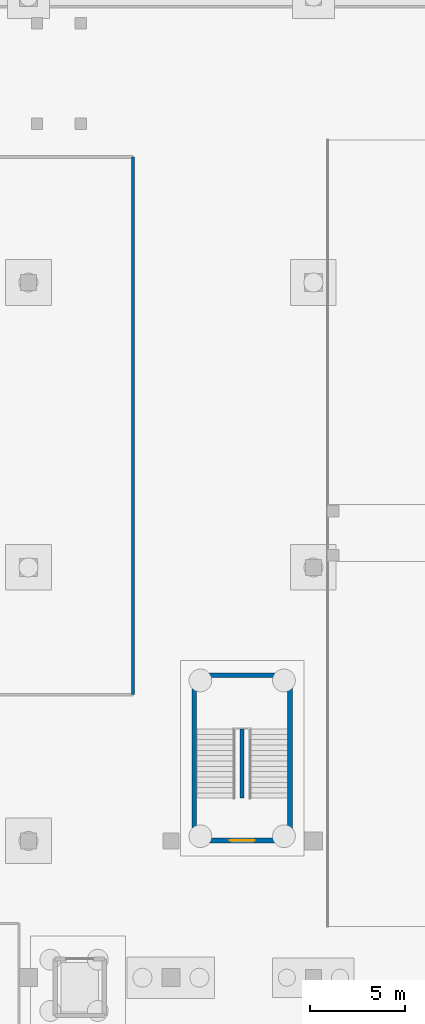
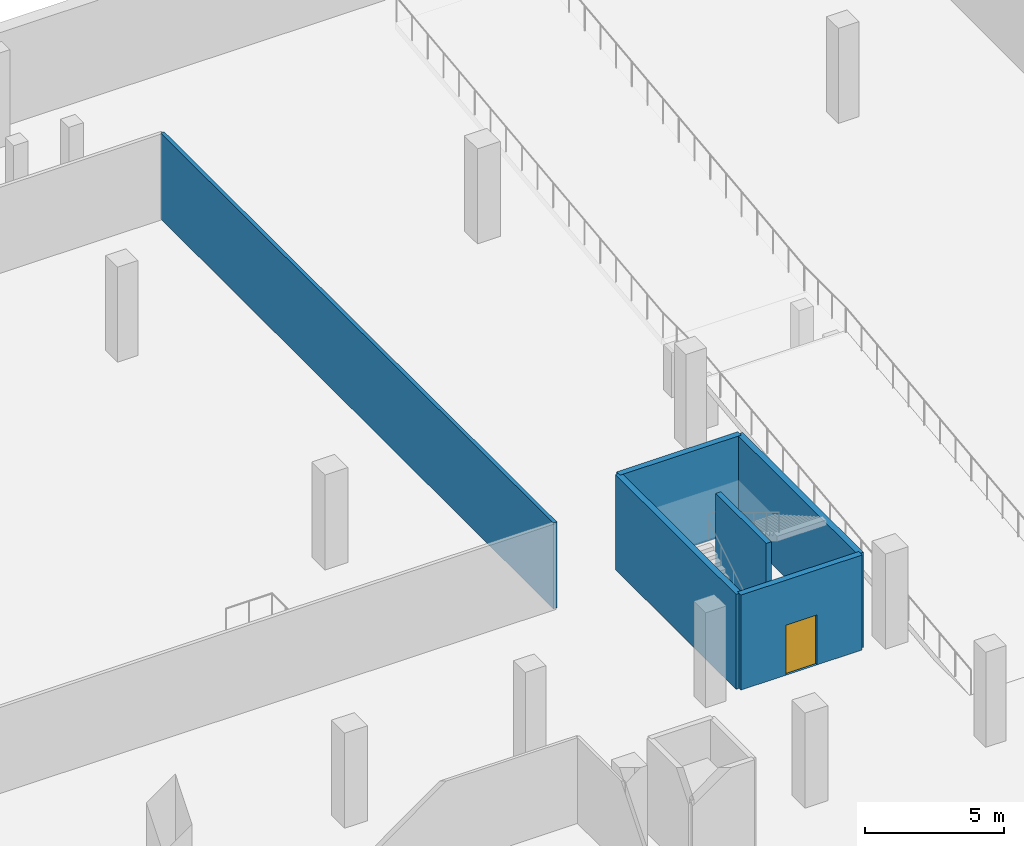
# One storey, part 18 of 26: 6 walls, 1 door, 1 opening.
"""IFC4 building model written with IfcOpenShell, lengths in metres."""

import ifcopenshell
import ifcopenshell.guid

model = None  # the IFC model being written
_history = None  # IfcOwnerHistory: only IFC2X3 demands one
_inside = {}  # id of a spatial element -> (the spatial element, [elements in it])
_under = {}  # id of a project, library or spatial element -> (it, [spatial elements below it])
_declared = {}  # id of a project -> (the project, [libraries it declares])
_typed = {}  # id of a type object -> (the type object, [elements of that type])
_made_of = {}  # id of a material, layer set ... -> (it, [elements and type objects made of it])


def new_model(schema):
    """Start an empty IFC model of exactly this schema.

    Asked for "IFC4X3", IfcOpenShell would pick the latest addendum, in which some entities
    have other attributes; the version numbers below select the first issue.
    IFC2X3 requires an IfcOwnerHistory on every rooted entity: one is made here for all.
    """
    global model, _history
    if schema == "IFC4X3":
        model = ifcopenshell.file(schema_version=(4, 3, 0, 0))
    else:
        model = ifcopenshell.file(schema=schema)
    _inside.clear()
    _under.clear()
    _declared.clear()
    _typed.clear()
    _made_of.clear()
    _history = None
    if model.schema == "IFC2X3":
        org = make("IfcOrganization", Name="unknown")
        user = make(
            "IfcPersonAndOrganization",
            ThePerson=make("IfcPerson", FamilyName="unknown"),
            TheOrganization=org,
        )
        app = make(
            "IfcApplication",
            ApplicationDeveloper=org,
            Version="unknown",
            ApplicationFullName="unknown",
            ApplicationIdentifier="unknown",
        )
        _history = make(
            "IfcOwnerHistory",
            OwningUser=user,
            OwningApplication=app,
            ChangeAction="ADDED",
            CreationDate=0,
        )
    return model


def make(cls, **values):
    """One entity of the class cls with the attributes given. An attribute that is None is left unset."""
    return model.create_entity(
        cls, **{name: value for name, value in values.items() if value is not None}
    )


def rooted(cls, **values):
    """An entity with a GlobalId (a new one), such as an element, a storey or a relation."""
    return make(cls, GlobalId=ifcopenshell.guid.new(), OwnerHistory=_history, **values)


def si_unit(unit_type, name, prefix=None):
    """IfcSIUnit, for example si_unit("LENGTHUNIT", "METRE", prefix="MILLI")."""
    return make("IfcSIUnit", UnitType=unit_type, Prefix=prefix, Name=name)


def assignment(units):
    """IfcUnitAssignment: the units of a project."""
    return None if units is None else make("IfcUnitAssignment", Units=units)


def point(xyz):
    """IfcCartesianPoint."""
    return None if xyz is None else make("IfcCartesianPoint", Coordinates=xyz)


def direction(xyz):
    """IfcDirection."""
    return None if xyz is None else make("IfcDirection", DirectionRatios=xyz)


def frame(location, z_axis=None, x_axis=None):
    """IfcAxis2Placement3D, a coordinate frame: its origin and axes. An axis left out is left unset."""
    return make(
        "IfcAxis2Placement3D",
        Location=point(location),
        Axis=direction(z_axis),
        RefDirection=direction(x_axis),
    )


def frame_2d(location, x_axis=None):
    """IfcAxis2Placement2D, a coordinate frame in the plane: its origin and x axis."""
    return make(
        "IfcAxis2Placement2D", Location=point(location), RefDirection=direction(x_axis)
    )


def origin():
    """The frame at (0, 0, 0) with its axes left unset."""
    return frame((0.0, 0.0, 0.0))


def place(relative_to, where):
    """IfcLocalPlacement: puts the frame where relative to a parent placement (None: the world)."""
    return make(
        "IfcLocalPlacement", PlacementRelTo=relative_to, RelativePlacement=where
    )


def context(
    kind, dimensions, precision=None, world=None, true_north=None, identifier=None
):
    """IfcGeometricRepresentationContext, for example the 3D "Model" context."""
    return make(
        "IfcGeometricRepresentationContext",
        ContextIdentifier=identifier,
        ContextType=kind,
        CoordinateSpaceDimension=dimensions,
        Precision=precision,
        WorldCoordinateSystem=world,
        TrueNorth=true_north,
    )


def subcontext(parent, identifier, kind, view, scale=None):
    """IfcGeometricRepresentationSubContext, for example "Body" below "Model"."""
    return make(
        "IfcGeometricRepresentationSubContext",
        ContextIdentifier=identifier,
        ContextType=kind,
        ParentContext=parent,
        TargetScale=scale,
        TargetView=view,
    )


def project(units=None, contexts=None):
    """IfcProject with its units and contexts."""
    return rooted(
        "IfcProject",
        Name="project",
        RepresentationContexts=contexts,
        UnitsInContext=assignment(units),
    )


def spatial(cls, under=None, at=None, **own):
    """A site, building, storey or space (cls), placed at a placement, below another one or the project."""
    s = rooted(cls, ObjectPlacement=at, **own)
    if under is not None:
        _under.setdefault(under.id(), (under, []))[1].append(s)
    return s


def profile(cls, at=None, kind="AREA", **sizes):
    """A parametric profile (cls). Its sizes go by their IFC names, for example OverallWidth=200.0."""
    return make(cls, ProfileType=kind, Position=at, **sizes)


def rectangle(**sizes):
    """IfcRectangleProfileDef."""
    return profile("IfcRectangleProfileDef", **sizes)


def extrude(swept, where, along, depth):
    """IfcExtrudedAreaSolid: the profile swept, set in the frame where, extruded along a direction by depth."""
    return make(
        "IfcExtrudedAreaSolid",
        SweptArea=swept,
        Position=where,
        ExtrudedDirection=direction(along),
        Depth=depth,
    )


def shape(context_of_items, identifier, shape_type, items):
    """IfcShapeRepresentation: the items that make up one representation, for example the "Body"."""
    return make(
        "IfcShapeRepresentation",
        ContextOfItems=context_of_items,
        RepresentationIdentifier=identifier,
        RepresentationType=shape_type,
        Items=items,
    )


def material(Name=None, Category=None):
    """IfcMaterial."""
    return make("IfcMaterial", Name=Name, Category=Category)


def layer(
    of_material, thickness, ventilated=None, Name=None, Category=None, Priority=None
):
    """IfcMaterialLayer: one layer of a wall or slab, of a material (None: an air gap)."""
    return make(
        "IfcMaterialLayer",
        Material=of_material,
        LayerThickness=thickness,
        IsVentilated=ventilated,
        Name=Name,
        Category=Category,
        Priority=Priority,
    )


def layer_set(layers, Name=None):
    """IfcMaterialLayerSet."""
    return make("IfcMaterialLayerSet", MaterialLayers=layers, LayerSetName=Name)


def made_of(thing, what):
    """Note that an element or type object is made of a material, layer set ...; save() writes the relation."""
    if what is not None:
        _made_of.setdefault(what.id(), (what, []))[1].append(thing)
    return thing


def type_object(cls, material=None, **own):
    """A type object (cls), such as IfcWallType, which elements share."""
    return made_of(rooted(cls, **own), material)


def element(
    cls,
    number,
    at=None,
    inside=None,
    cuts=None,
    type_object=None,
    material=None,
    context=None,
    identifier="Body",
    shape_type=None,
    held_by="IfcProductDefinitionShape",
    body=None,
    shapes=None,
    **own,
):
    """One element of the class cls, such as IfcWall. Its Tag is "e" and its number.

    at: its placement. inside: the storey or other place that contains it. cuts: it is an
    opening in that element (IfcRelVoidsElement). A single representation is given by context,
    identifier, shape_type and body (its items); several are given by shapes. held_by: the class
    of the entity that holds the representations. save() writes the other relations.
    """
    e = rooted(cls, Tag="e%d" % number, ObjectPlacement=at, **own)
    if body is not None:
        shapes = [shape(context, identifier, shape_type, body)]
    if shapes is not None:
        e.Representation = make(held_by, Representations=shapes)
    if inside is not None:
        _inside.setdefault(inside.id(), (inside, []))[1].append(e)
    if cuts is not None:
        rooted(
            "IfcRelVoidsElement", RelatingBuildingElement=cuts, RelatedOpeningElement=e
        )
    if type_object is not None:
        _typed.setdefault(type_object.id(), (type_object, []))[1].append(e)
    return made_of(e, material)


def fill(opening, filler):
    """IfcRelFillsElement: the door or window that sits in an opening."""
    return rooted(
        "IfcRelFillsElement",
        RelatingOpeningElement=opening,
        RelatedBuildingElement=filler,
    )


def aggregate(whole, parts):
    """IfcRelAggregates: a whole, such as a stair, and the parts it consists of."""
    return rooted("IfcRelAggregates", RelatingObject=whole, RelatedObjects=parts)


def save(model, path):
    """Write the relations noted so far, then the file.

    IfcRelAggregates (storeys below a building ...), IfcRelContainedInSpatialStructure (elements
    in a storey), IfcRelDefinesByType, IfcRelAssociatesMaterial and IfcRelDeclares: one each for
    every whole, place, type object, material and project.
    """
    for whole, parts in _under.values():
        aggregate(whole, parts)
    for where, things in _inside.values():
        rooted(
            "IfcRelContainedInSpatialStructure",
            RelatedElements=things,
            RelatingStructure=where,
        )
    for kind, things in _typed.values():
        rooted("IfcRelDefinesByType", RelatedObjects=things, RelatingType=kind)
    for what, things in _made_of.values():
        rooted("IfcRelAssociatesMaterial", RelatedObjects=things, RelatingMaterial=what)
    for by, libraries in _declared.values():
        rooted("IfcRelDeclares", RelatingContext=by, RelatedDefinitions=libraries)
    model.write(path)


model = new_model("IFC4")

# Units and contexts
model_context = context("Model", 3, precision=1e-05, world=origin(), true_north=direction((0.0, 1.0)))
body_context = subcontext(model_context, "Body", "Model", "MODEL_VIEW")
ifc_project = project(units=[si_unit("LENGTHUNIT", "METRE"), si_unit("AREAUNIT", "SQUARE_METRE"), si_unit("VOLUMEUNIT", "CUBIC_METRE"), si_unit("PLANEANGLEUNIT", "RADIAN"), si_unit("MASSUNIT", "GRAM", prefix="KILO")], contexts=[model_context])

# Site, building, storey
site_placement = place(None, origin())
site = spatial("IfcSite", under=ifc_project, at=site_placement, CompositionType="ELEMENT")
building_placement = place(site_placement, origin())
building = spatial("IfcBuilding", under=site, at=building_placement, Name="Akrevak Sports Hall", CompositionType="ELEMENT")
storey_placement = place(building_placement, frame((0.0, 0.0, -9.0)))
storey = spatial("IfcBuildingStorey", under=building, at=storey_placement, Name="B02", CompositionType="ELEMENT", Elevation=-9.0)

# Walls
ifc_material_1 = material(Name="Double Stud Acoustic Gypsum Partition", Category="gypsum")
ifc_layer_1 = layer(ifc_material_1, 0.14990234375, Name="Double Stud Acoustic Gypsum Partition")
ifc_layer_set_1 = layer_set([ifc_layer_1], Name="Double Stud Acoustic Gypsum Partition")
wall_type_1 = type_object("IfcWallType", Name="ARC-WL-PRT-150", PredefinedType="PARTITIONING", material=ifc_layer_set_1)
wall_1_placement = place(storey_placement, frame((136.0, 77.300048828125, 0.0), z_axis=(0.0, 0.0, 1.0), x_axis=(0.0, 1.0, 0.0)))
element("IfcWall", 1, at=wall_1_placement, inside=storey, type_object=wall_type_1, Name="Interior Partition Underground Car Park Hall North B02 (E)", PredefinedType="PARTITIONING", context=body_context, shape_type="SweptSolid", body=[
    extrude(rectangle(XDim=28.300048828125, YDim=0.14990234375, at=frame_2d((14.14990234375, 0.0))), origin(), (0.0, 0.0, 1.0), 3.780029296875),
])
ifc_material_2 = material(Name="Concrete C40/50", Category="concrete")
ifc_layer_2 = layer(ifc_material_2, 0.219970703125, Name="Concrete C40/50")
ifc_layer_set_2 = layer_set([ifc_layer_2], Name="Concrete C40/50")
wall_type_2 = type_object("IfcWallType", Name="ARC-WL-PRT-220", PredefinedType="PARTITIONING", material=ifc_layer_set_2)
wall_2_placement = place(storey_placement, frame((141.75, 71.85009765625, 0.0), z_axis=(0.0, 0.0, 1.0), x_axis=(0.0, 1.0, 0.0)))
element("IfcWall", 2, at=wall_2_placement, inside=storey, type_object=wall_type_2, Name="Stair ST8 Central Spine Wall (B02)", PredefinedType="PARTITIONING", context=body_context, shape_type="SweptSolid", body=[
    extrude(rectangle(XDim=3.639892578125, YDim=0.219970703125, at=frame_2d((1.81982421875, 0.0))), origin(), (0.0, 0.0, 1.0), 4.179931640625),
])

# Wall, opening, door
ifc_material_3 = material(Name="Concrete C50/60", Category="concrete")
ifc_layer_3 = layer(ifc_material_3, 0.25, Name="Concrete C50/60")
ifc_layer_set_3 = layer_set([ifc_layer_3], Name="Concrete C50/60")
wall_type_3 = type_object("IfcWallType", Name="STR-WL-STAIR-250", PredefinedType="SHEAR", material=ifc_layer_set_3)
wall_3_placement = place(storey_placement, frame((139.22509765625, 69.625, 0.0), z_axis=(0.0, 0.0, 1.0), x_axis=(1.0, 0.0, 0.0)))
wall_3 = element("IfcWall", 3, at=wall_3_placement, inside=storey, type_object=wall_type_3, Name="Stair Core ST8 Shear Wall S (B02)", PredefinedType="SHEAR", context=body_context, shape_type="SweptSolid", body=[
    extrude(rectangle(XDim=5.0498046875, YDim=0.25, at=frame_2d((2.52490234375, 0.0))), origin(), (0.0, 0.0, 1.0), 4.179931640625),
])
opening_placement = place(wall_3_placement, frame((1.875, 0.0, 0.0)))
opening = element("IfcOpeningElement", 4, at=opening_placement, cuts=wall_3, Name="Opening SD-01", PredefinedType="OPENING", context=body_context, shape_type="SweptSolid", body=[
    extrude(rectangle(XDim=1.300048828125, YDim=2.199951171875, at=frame_2d((0.64990234375, 1.10009765625))), frame((0.0, 0.136962890625, 0.0), z_axis=(0.0, -1.0, 0.0), x_axis=(1.0, 0.0, 0.0)), (0.0, 0.0, 1.0), 0.27392578125),
])
ifc_material_4 = material(Name="Fire-Rated Galvanized Door Steel", Category="steel")
door_type = type_object("IfcDoorType", Name="ARC-DR-STAIR-130x220", OperationType="NOTDEFINED", PredefinedType="DOOR", material=ifc_material_4)
door_placement = place(opening_placement, origin())
door = element("IfcDoor", 5, at=door_placement, inside=storey, type_object=door_type, Name="Exit Stair ST8 Door (B02)", OperationType="SINGLE_SWING_LEFT", OverallHeight=2.199951171875, OverallWidth=1.300048828125, PredefinedType="DOOR", context=body_context, shape_type="SweptSolid", body=[
    extrude(rectangle(XDim=1.300048828125, YDim=2.199951171875, at=frame_2d((0.64990234375, 1.10009765625))), frame((0.0, 0.02490234375, 0.0), z_axis=(0.0, -1.0, 0.0), x_axis=(1.0, 0.0, 0.0)), (0.0, 0.0, 1.0), 0.050048828125),
])
fill(opening, door)

# Walls
wall_4_placement = place(storey_placement, frame((144.27490234375, 78.324951171875, 0.0), z_axis=(0.0, 0.0, 1.0), x_axis=(-1.0, 0.0, 0.0)))
element("IfcWall", 6, at=wall_4_placement, inside=storey, type_object=wall_type_3, Name="Stair Core ST8 Shear Wall N (B02)", PredefinedType="SHEAR", context=body_context, shape_type="SweptSolid", body=[
    extrude(rectangle(XDim=5.0498046875, YDim=0.25, at=frame_2d((2.52490234375, 0.0))), origin(), (0.0, 0.0, 1.0), 4.179931640625),
])
for number, where, z_axis, x_axis, name in (
    (7, (139.22509765625, 78.324951171875, 0.0), (0.0, 0.0, 1.0), (0.0, -1.0, 0.0), "Stair Core ST8 Shear Wall W (B02)"),
    (8, (144.27490234375, 69.625, 0.0), (0.0, 0.0, 1.0), (0.0, 1.0, 0.0), "Stair Core ST8 Shear Wall E (B02)"),
):
    element("IfcWall", number, at=place(storey_placement, frame(where, z_axis=z_axis, x_axis=x_axis)), inside=storey, type_object=wall_type_3, Name=name, PredefinedType="SHEAR", context=body_context, shape_type="SweptSolid", body=[
        extrude(rectangle(XDim=8.699951171875, YDim=0.25, at=frame_2d((4.35009765625, 0.0))), origin(), (0.0, 0.0, 1.0), 4.179931640625),
    ])

save(model, "model.ifc")
